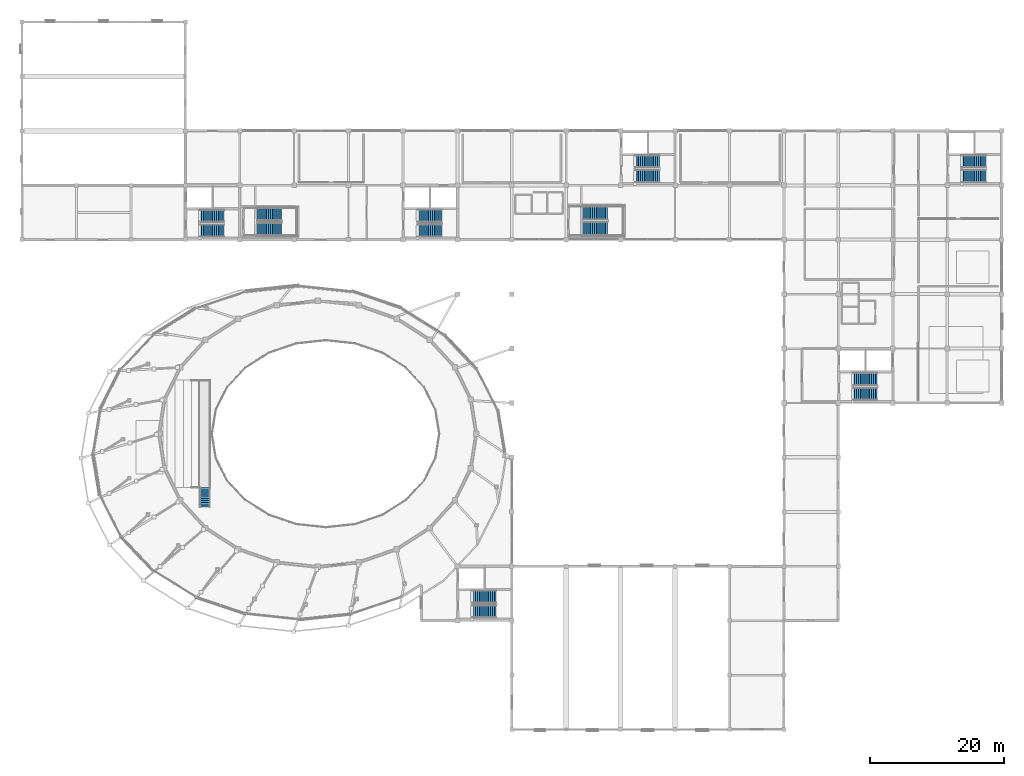
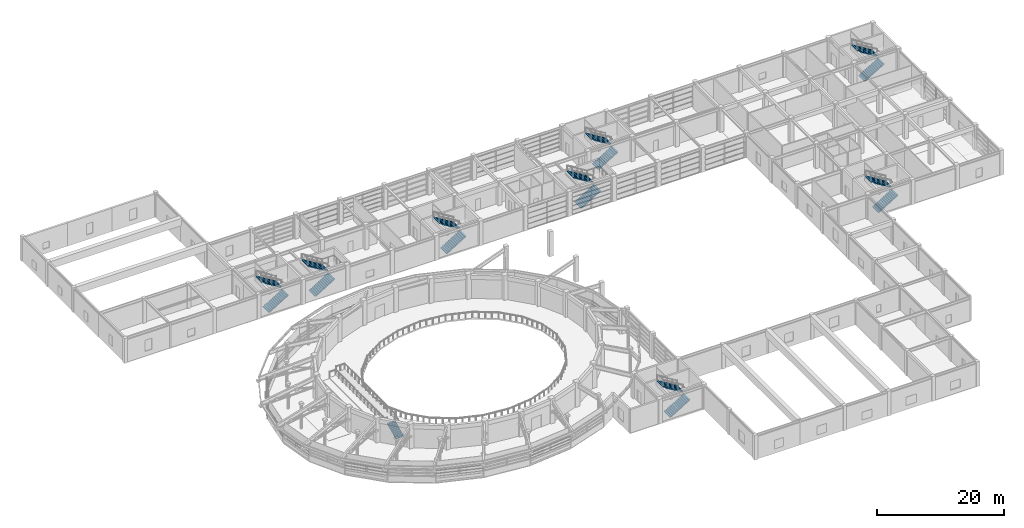
# One storey, part 48 of 58: 17 stair flights, 9 elements without a shape of their own.
"""IFC4 building model written with IfcOpenShell, lengths in metres."""

from ifc_helpers import new_model, si_unit, direction, frame, origin, place, context, subcontext, project, spatial, polyline, outline, extrude, material, type_object, element, aggregate, save


model = new_model("IFC4")

# Units and contexts
model_context = context("Model", 3, precision=1e-05, world=origin(), true_north=direction((0.0, 1.0)))
body_context = subcontext(model_context, "Body", "Model", "MODEL_VIEW")
ifc_project = project(units=[si_unit("LENGTHUNIT", "METRE"), si_unit("AREAUNIT", "SQUARE_METRE"), si_unit("VOLUMEUNIT", "CUBIC_METRE"), si_unit("PLANEANGLEUNIT", "RADIAN"), si_unit("MASSUNIT", "GRAM", prefix="KILO")], contexts=[model_context])

# Site, building, storey
site_placement = place(None, origin())
site = spatial("IfcSite", under=ifc_project, at=site_placement, CompositionType="ELEMENT")
building_placement = place(site_placement, origin())
building = spatial("IfcBuilding", under=site, at=building_placement, Name="Parian Resonance Hall", CompositionType="ELEMENT")
storey_placement = place(building_placement, frame((0.0, 0.0, 10.199951171875)))
storey = spatial("IfcBuildingStorey", under=building, at=storey_placement, Name="L02", CompositionType="ELEMENT", Elevation=10.199951171875)

# Stair, stair flight
ifc_material_1 = material(Name="Concrete C40/50", Category="concrete")
stair_type_1 = type_object("IfcStairType", Name="STAIR-TIER-1480", PredefinedType="STRAIGHT_RUN_STAIR", material=ifc_material_1)
stair_1_placement = place(storey_placement, origin())
stair_1 = element("IfcStair", 1, at=stair_1_placement, inside=storey, type_object=stair_type_1, Name="Auditorium stepped aisle stair ST-T05", PredefinedType="STRAIGHT_RUN_STAIR")
ifc_material_2 = material(Name="Concrete C40/50", Category="concrete")
stair_flight_type_1 = type_object("IfcStairFlightType", Name="FLIGHT-1480", PredefinedType="STRAIGHT", material=ifc_material_2)
stair_flight_1_placement = place(storey_placement, frame((27.219970703125, 33.1201171875, 0.0), z_axis=(0.0, 0.0, 1.0), x_axis=(0.0, 1.0, 0.0)))
stair_flight_1 = element("IfcStairFlight", 2, at=stair_flight_1_placement, type_object=stair_flight_type_1, Name="STT-148 flight 1", NumberOfRisers=10, NumberOfTreads=9, PredefinedType="STRAIGHT", RiserHeight=0.15, TreadLength=0.32, context=body_context, shape_type="SweptSolid", body=[
    extrude(outline(polyline([(0.0, 0.0), (0.0, 0.14990234375), (0.320068359375, 0.14990234375), (0.320068359375, 0.300048828125), (0.639892578125, 0.300048828125), (0.639892578125, 0.449951171875), (0.9599609375, 0.449951171875), (0.9599609375, 0.60009765625), (1.280029296875, 0.60009765625), (1.280029296875, 0.75), (1.60009765625, 0.75), (1.60009765625, 0.89990234375), (1.919921875, 0.89990234375), (1.919921875, 1.050048828125), (2.239990234375, 1.050048828125), (2.239990234375, 1.199951171875), (2.56005859375, 1.199951171875), (2.56005859375, 1.35009765625), (2.8798828125, 1.35009765625), (2.8798828125, 1.5), (2.8798828125, 1.184326171875), (0.353271484375, 0.0), (0.0, 0.0)])), frame((0.0, 0.739990234375, 0.0), z_axis=(0.0, -1.0, 0.0), x_axis=(1.0, 0.0, 0.0)), (0.0, 0.0, 1.0), 1.47998046875),
])
aggregate(stair_1, [stair_flight_1])

# Stair, stair flights
ifc_material_3 = material(Name="Concrete C40/50", Category="concrete")
stair_type_2 = type_object("IfcStairType", Name="STAIR-FOYER-1550", PredefinedType="HALF_TURN_STAIR", material=ifc_material_3)
stair_2_placement = place(storey_placement, origin())
stair_2 = element("IfcStair", 3, at=stair_2_placement, inside=storey, type_object=stair_type_2, Name="L02 ST-07", PredefinedType="HALF_TURN_STAIR")
ifc_material_4 = material(Name="Concrete C40/50", Category="concrete")
stair_flight_type_2 = type_object("IfcStairFlightType", Name="FLIGHT-1550", PredefinedType="STRAIGHT", material=ifc_material_4)
stair_flight_2_placement = place(storey_placement, frame((35.010009765625, 74.47998046875, 0.0), z_axis=(0.0, 0.0, 1.0), x_axis=(1.0, 0.0, 0.0)))
stair_flight_2 = element("IfcStairFlight", 4, at=stair_flight_2_placement, type_object=stair_flight_type_2, Name="ST-07 flight 1", NumberOfRisers=14, NumberOfTreads=13, PredefinedType="STRAIGHT", RiserHeight=0.171428571, TreadLength=0.28, context=body_context, shape_type="SweptSolid", body=[
    extrude(outline(polyline([(0.0, 0.0), (0.0, 0.17138671875), (0.280029296875, 0.17138671875), (0.280029296875, 0.3427734375), (0.56005859375, 0.3427734375), (0.56005859375, 0.514404296875), (0.840087890625, 0.514404296875), (0.840087890625, 0.685791015625), (1.1201171875, 0.685791015625), (1.1201171875, 0.857177734375), (1.39990234375, 0.857177734375), (1.39990234375, 1.028564453125), (1.679931640625, 1.028564453125), (1.679931640625, 1.199951171875), (1.9599609375, 1.199951171875), (1.9599609375, 1.371337890625), (2.239990234375, 1.371337890625), (2.239990234375, 1.54296875), (2.52001953125, 1.54296875), (2.52001953125, 1.71435546875), (2.800048828125, 1.71435546875), (2.800048828125, 1.8857421875), (3.080078125, 1.8857421875), (3.080078125, 2.05712890625), (3.360107421875, 2.05712890625), (3.360107421875, 2.228515625), (3.639892578125, 2.228515625), (3.639892578125, 2.39990234375), (3.639892578125, 2.052734375), (0.287109375, 0.0), (0.0, 0.0)])), frame((0.0, 0.97998046875, 0.0), z_axis=(0.0, -1.0, 0.0), x_axis=(1.0, 0.0, 0.0)), (0.0, 0.0, 1.0), 1.9599609375),
])
stair_flight_3_placement = place(storey_placement, frame((38.64990234375, 76.699951171875, 2.400146484375), z_axis=(0.0, 0.0, 1.0), x_axis=(-1.0, 0.0, 0.0)))
stair_flight_3 = element("IfcStairFlight", 5, at=stair_flight_3_placement, type_object=stair_flight_type_2, Name="ST-07 flight 2", NumberOfRisers=14, NumberOfTreads=13, PredefinedType="STRAIGHT", RiserHeight=0.171428571, TreadLength=0.28, context=body_context, shape_type="SweptSolid", body=[
    extrude(outline(polyline([(0.0, 0.0), (0.0, 0.17138671875), (0.280029296875, 0.17138671875), (0.280029296875, 0.3427734375), (0.56005859375, 0.3427734375), (0.56005859375, 0.514404296875), (0.840087890625, 0.514404296875), (0.840087890625, 0.685791015625), (1.1201171875, 0.685791015625), (1.1201171875, 0.857177734375), (1.39990234375, 0.857177734375), (1.39990234375, 1.028564453125), (1.679931640625, 1.028564453125), (1.679931640625, 1.199951171875), (1.9599609375, 1.199951171875), (1.9599609375, 1.371337890625), (2.239990234375, 1.371337890625), (2.239990234375, 1.54296875), (2.52001953125, 1.54296875), (2.52001953125, 1.71435546875), (2.800048828125, 1.71435546875), (2.800048828125, 1.8857421875), (3.080078125, 1.8857421875), (3.080078125, 2.05712890625), (3.360107421875, 2.05712890625), (3.360107421875, 2.228515625), (3.639892578125, 2.228515625), (3.639892578125, 2.39990234375), (3.639892578125, 2.052734375), (0.287109375, 0.0), (0.0, 0.0)])), frame((0.0, 0.97998046875, 0.0), z_axis=(0.0, -1.0, 0.0), x_axis=(1.0, 0.0, 0.0)), (0.0, 0.0, 1.0), 1.9599609375),
])
aggregate(stair_2, [stair_flight_2, stair_flight_3])

ifc_material_5 = material(Name="Concrete C40/50", Category="concrete")
stair_type_3 = type_object("IfcStairType", Name="STAIR-FOYER-1650", PredefinedType="HALF_TURN_STAIR", material=ifc_material_5)
stair_3_placement = place(storey_placement, origin())
stair_3 = element("IfcStair", 6, at=stair_3_placement, inside=storey, type_object=stair_type_3, Name="L02 ST-08", PredefinedType="HALF_TURN_STAIR")
ifc_material_6 = material(Name="Concrete C40/50", Category="concrete")
stair_flight_type_3 = type_object("IfcStairFlightType", Name="FLIGHT-1650", PredefinedType="STRAIGHT", material=ifc_material_6)
stair_flight_4_placement = place(storey_placement, frame((83.510009765625, 74.530029296875, 0.0), z_axis=(0.0, 0.0, 1.0), x_axis=(1.0, 0.0, 0.0)))
stair_flight_4 = element("IfcStairFlight", 7, at=stair_flight_4_placement, type_object=stair_flight_type_3, Name="ST-08 flight 1", NumberOfRisers=14, NumberOfTreads=13, PredefinedType="STRAIGHT", RiserHeight=0.171428571, TreadLength=0.28, context=body_context, shape_type="SweptSolid", body=[
    extrude(outline(polyline([(0.0, 0.0), (0.0, 0.17138671875), (0.280029296875, 0.17138671875), (0.280029296875, 0.3427734375), (0.56005859375, 0.3427734375), (0.56005859375, 0.514404296875), (0.840087890625, 0.514404296875), (0.840087890625, 0.685791015625), (1.1201171875, 0.685791015625), (1.1201171875, 0.857177734375), (1.39990234375, 0.857177734375), (1.39990234375, 1.028564453125), (1.679931640625, 1.028564453125), (1.679931640625, 1.199951171875), (1.9599609375, 1.199951171875), (1.9599609375, 1.371337890625), (2.239990234375, 1.371337890625), (2.239990234375, 1.54296875), (2.52001953125, 1.54296875), (2.52001953125, 1.71435546875), (2.800048828125, 1.71435546875), (2.800048828125, 1.8857421875), (3.080078125, 1.8857421875), (3.080078125, 2.05712890625), (3.360107421875, 2.05712890625), (3.360107421875, 2.228515625), (3.639892578125, 2.228515625), (3.639892578125, 2.39990234375), (3.639892578125, 2.052734375), (0.287109375, 0.0), (0.0, 0.0)])), frame((0.0, 1.030029296875, 0.0), z_axis=(0.0, -1.0, 0.0), x_axis=(1.0, 0.0, 0.0)), (0.0, 0.0, 1.0), 2.06005859375),
])
stair_flight_5_placement = place(storey_placement, frame((87.14990234375, 76.85009765625, 2.400146484375), z_axis=(0.0, 0.0, 1.0), x_axis=(-1.0, 0.0, 0.0)))
stair_flight_5 = element("IfcStairFlight", 8, at=stair_flight_5_placement, type_object=stair_flight_type_3, Name="ST-08 flight 2", NumberOfRisers=14, NumberOfTreads=13, PredefinedType="STRAIGHT", RiserHeight=0.171428571, TreadLength=0.28, context=body_context, shape_type="SweptSolid", body=[
    extrude(outline(polyline([(0.0, 0.0), (0.0, 0.17138671875), (0.280029296875, 0.17138671875), (0.280029296875, 0.3427734375), (0.56005859375, 0.3427734375), (0.56005859375, 0.514404296875), (0.840087890625, 0.514404296875), (0.840087890625, 0.685791015625), (1.1201171875, 0.685791015625), (1.1201171875, 0.857177734375), (1.39990234375, 0.857177734375), (1.39990234375, 1.028564453125), (1.679931640625, 1.028564453125), (1.679931640625, 1.199951171875), (1.9599609375, 1.199951171875), (1.9599609375, 1.371337890625), (2.239990234375, 1.371337890625), (2.239990234375, 1.54296875), (2.52001953125, 1.54296875), (2.52001953125, 1.71435546875), (2.800048828125, 1.71435546875), (2.800048828125, 1.8857421875), (3.080078125, 1.8857421875), (3.080078125, 2.05712890625), (3.360107421875, 2.05712890625), (3.360107421875, 2.228515625), (3.639892578125, 2.228515625), (3.639892578125, 2.39990234375), (3.639892578125, 2.052734375), (0.287109375, 0.0), (0.0, 0.0)])), frame((0.0, 1.030029296875, 0.0), z_axis=(0.0, -1.0, 0.0), x_axis=(1.0, 0.0, 0.0)), (0.0, 0.0, 1.0), 2.06005859375),
])
aggregate(stair_3, [stair_flight_4, stair_flight_5])

ifc_material_7 = material(Name="Concrete C40/50", Category="concrete")
stair_type_4 = type_object("IfcStairType", Name="STAIR-CORE-1800", PredefinedType="HALF_TURN_STAIR", material=ifc_material_7)
stair_4_placement = place(storey_placement, origin())
stair_4 = element("IfcStair", 9, at=stair_4_placement, inside=storey, type_object=stair_type_4, Name="L02 ST-04", PredefinedType="HALF_TURN_STAIR")
ifc_material_8 = material(Name="Concrete C40/50", Category="concrete")
stair_flight_type_4 = type_object("IfcStairFlightType", Name="FLIGHT-1800", PredefinedType="STRAIGHT", material=ifc_material_8)
stair_flight_6_placement = place(storey_placement, frame((26.419921875, 74.239990234375, 0.0), z_axis=(0.0, 0.0, 1.0), x_axis=(1.0, 0.0, 0.0)))
stair_flight_6 = element("IfcStairFlight", 10, at=stair_flight_6_placement, type_object=stair_flight_type_4, Name="ST-04 flight 1", NumberOfRisers=14, NumberOfTreads=13, PredefinedType="STRAIGHT", RiserHeight=0.171428571, TreadLength=0.28, context=body_context, shape_type="SweptSolid", body=[
    extrude(outline(polyline([(0.0, 0.0), (0.0, 0.17138671875), (0.280029296875, 0.17138671875), (0.280029296875, 0.3427734375), (0.56005859375, 0.3427734375), (0.56005859375, 0.514404296875), (0.840087890625, 0.514404296875), (0.840087890625, 0.685791015625), (1.1201171875, 0.685791015625), (1.1201171875, 0.857177734375), (1.39990234375, 0.857177734375), (1.39990234375, 1.028564453125), (1.679931640625, 1.028564453125), (1.679931640625, 1.199951171875), (1.9599609375, 1.199951171875), (1.9599609375, 1.371337890625), (2.239990234375, 1.371337890625), (2.239990234375, 1.54296875), (2.52001953125, 1.54296875), (2.52001953125, 1.71435546875), (2.800048828125, 1.71435546875), (2.800048828125, 1.8857421875), (3.080078125, 1.8857421875), (3.080078125, 2.05712890625), (3.360107421875, 2.05712890625), (3.360107421875, 2.228515625), (3.639892578125, 2.228515625), (3.639892578125, 2.39990234375), (3.639892578125, 2.052734375), (0.287109375, 0.0), (0.0, 0.0)])), frame((0.0, 0.93994140625, 0.0), z_axis=(0.0, -1.0, 0.0), x_axis=(1.0, 0.0, 0.0)), (0.0, 0.0, 1.0), 1.8798828125),
])
stair_flight_7_placement = place(storey_placement, frame((30.06005859375, 76.419921875, 2.400146484375), z_axis=(0.0, 0.0, 1.0), x_axis=(-1.0, 0.0, 0.0)))
stair_flight_7 = element("IfcStairFlight", 11, at=stair_flight_7_placement, type_object=stair_flight_type_4, Name="ST-04 flight 2", NumberOfRisers=14, NumberOfTreads=13, PredefinedType="STRAIGHT", RiserHeight=0.171428571, TreadLength=0.28, context=body_context, shape_type="SweptSolid", body=[
    extrude(outline(polyline([(0.0, 0.0), (0.0, 0.17138671875), (0.280029296875, 0.17138671875), (0.280029296875, 0.3427734375), (0.56005859375, 0.3427734375), (0.56005859375, 0.514404296875), (0.840087890625, 0.514404296875), (0.840087890625, 0.685791015625), (1.1201171875, 0.685791015625), (1.1201171875, 0.857177734375), (1.39990234375, 0.857177734375), (1.39990234375, 1.028564453125), (1.679931640625, 1.028564453125), (1.679931640625, 1.199951171875), (1.9599609375, 1.199951171875), (1.9599609375, 1.371337890625), (2.239990234375, 1.371337890625), (2.239990234375, 1.54296875), (2.52001953125, 1.54296875), (2.52001953125, 1.71435546875), (2.800048828125, 1.71435546875), (2.800048828125, 1.8857421875), (3.080078125, 1.8857421875), (3.080078125, 2.05712890625), (3.360107421875, 2.05712890625), (3.360107421875, 2.228515625), (3.639892578125, 2.228515625), (3.639892578125, 2.39990234375), (3.639892578125, 2.052734375), (0.287109375, 0.0), (0.0, 0.0)])), frame((0.0, 0.93994140625, 0.0), z_axis=(0.0, -1.0, 0.0), x_axis=(1.0, 0.0, 0.0)), (0.0, 0.0, 1.0), 1.8798828125),
])
aggregate(stair_4, [stair_flight_6, stair_flight_7])

stair_5_placement = place(storey_placement, origin())
stair_5 = element("IfcStair", 12, at=stair_5_placement, inside=storey, type_object=stair_type_4, Name="L02 ST-05", PredefinedType="HALF_TURN_STAIR")
stair_flight_8_placement = place(storey_placement, frame((91.219970703125, 82.340087890625, 0.0), z_axis=(0.0, 0.0, 1.0), x_axis=(1.0, 0.0, 0.0)))
stair_flight_8 = element("IfcStairFlight", 13, at=stair_flight_8_placement, type_object=stair_flight_type_4, Name="ST-05 flight 1", NumberOfRisers=14, NumberOfTreads=13, PredefinedType="STRAIGHT", RiserHeight=0.171428571, TreadLength=0.28, context=body_context, shape_type="SweptSolid", body=[
    extrude(outline(polyline([(0.0, 0.0), (0.0, 0.17138671875), (0.280029296875, 0.17138671875), (0.280029296875, 0.3427734375), (0.56005859375, 0.3427734375), (0.56005859375, 0.514404296875), (0.840087890625, 0.514404296875), (0.840087890625, 0.685791015625), (1.1201171875, 0.685791015625), (1.1201171875, 0.857177734375), (1.39990234375, 0.857177734375), (1.39990234375, 1.028564453125), (1.679931640625, 1.028564453125), (1.679931640625, 1.199951171875), (1.9599609375, 1.199951171875), (1.9599609375, 1.371337890625), (2.239990234375, 1.371337890625), (2.239990234375, 1.54296875), (2.52001953125, 1.54296875), (2.52001953125, 1.71435546875), (2.800048828125, 1.71435546875), (2.800048828125, 1.8857421875), (3.080078125, 1.8857421875), (3.080078125, 2.05712890625), (3.360107421875, 2.05712890625), (3.360107421875, 2.228515625), (3.639892578125, 2.228515625), (3.639892578125, 2.39990234375), (3.639892578125, 2.052734375), (0.287109375, 0.0), (0.0, 0.0)])), frame((0.0, 0.93994140625, 0.0), z_axis=(0.0, -1.0, 0.0), x_axis=(1.0, 0.0, 0.0)), (0.0, 0.0, 1.0), 1.8798828125),
])
stair_flight_9_placement = place(storey_placement, frame((94.860107421875, 84.52001953125, 2.400146484375), z_axis=(0.0, 0.0, 1.0), x_axis=(-1.0, 0.0, 0.0)))
stair_flight_9 = element("IfcStairFlight", 14, at=stair_flight_9_placement, type_object=stair_flight_type_4, Name="ST-05 flight 2", NumberOfRisers=14, NumberOfTreads=13, PredefinedType="STRAIGHT", RiserHeight=0.171428571, TreadLength=0.28, context=body_context, shape_type="SweptSolid", body=[
    extrude(outline(polyline([(0.0, 0.0), (0.0, 0.17138671875), (0.280029296875, 0.17138671875), (0.280029296875, 0.3427734375), (0.56005859375, 0.3427734375), (0.56005859375, 0.514404296875), (0.840087890625, 0.514404296875), (0.840087890625, 0.685791015625), (1.1201171875, 0.685791015625), (1.1201171875, 0.857177734375), (1.39990234375, 0.857177734375), (1.39990234375, 1.028564453125), (1.679931640625, 1.028564453125), (1.679931640625, 1.199951171875), (1.9599609375, 1.199951171875), (1.9599609375, 1.371337890625), (2.239990234375, 1.371337890625), (2.239990234375, 1.54296875), (2.52001953125, 1.54296875), (2.52001953125, 1.71435546875), (2.800048828125, 1.71435546875), (2.800048828125, 1.8857421875), (3.080078125, 1.8857421875), (3.080078125, 2.05712890625), (3.360107421875, 2.05712890625), (3.360107421875, 2.228515625), (3.639892578125, 2.228515625), (3.639892578125, 2.39990234375), (3.639892578125, 2.052734375), (0.287109375, 0.0), (0.0, 0.0)])), frame((0.0, 0.93994140625, 0.0), z_axis=(0.0, -1.0, 0.0), x_axis=(1.0, 0.0, 0.0)), (0.0, 0.0, 1.0), 1.8798828125),
])
aggregate(stair_5, [stair_flight_8, stair_flight_9])

stair_6_placement = place(storey_placement, origin())
stair_6 = element("IfcStair", 15, at=stair_6_placement, inside=storey, type_object=stair_type_4, Name="L02 ST-06", PredefinedType="HALF_TURN_STAIR")
stair_flight_10_placement = place(storey_placement, frame((139.820068359375, 82.340087890625, 0.0), z_axis=(0.0, 0.0, 1.0), x_axis=(1.0, 0.0, 0.0)))
stair_flight_10 = element("IfcStairFlight", 16, at=stair_flight_10_placement, type_object=stair_flight_type_4, Name="ST-06 flight 1", NumberOfRisers=14, NumberOfTreads=13, PredefinedType="STRAIGHT", RiserHeight=0.171428571, TreadLength=0.28, context=body_context, shape_type="SweptSolid", body=[
    extrude(outline(polyline([(0.0, 0.0), (0.0, 0.17138671875), (0.280029296875, 0.17138671875), (0.280029296875, 0.3427734375), (0.56005859375, 0.3427734375), (0.56005859375, 0.514404296875), (0.840087890625, 0.514404296875), (0.840087890625, 0.685791015625), (1.1201171875, 0.685791015625), (1.1201171875, 0.857177734375), (1.39990234375, 0.857177734375), (1.39990234375, 1.028564453125), (1.679931640625, 1.028564453125), (1.679931640625, 1.199951171875), (1.9599609375, 1.199951171875), (1.9599609375, 1.371337890625), (2.239990234375, 1.371337890625), (2.239990234375, 1.54296875), (2.52001953125, 1.54296875), (2.52001953125, 1.71435546875), (2.800048828125, 1.71435546875), (2.800048828125, 1.8857421875), (3.080078125, 1.8857421875), (3.080078125, 2.05712890625), (3.360107421875, 2.05712890625), (3.360107421875, 2.228515625), (3.639892578125, 2.228515625), (3.639892578125, 2.39990234375), (3.639892578125, 2.052734375), (0.287109375, 0.0), (0.0, 0.0)])), frame((0.0, 0.93994140625, 0.0), z_axis=(0.0, -1.0, 0.0), x_axis=(1.0, 0.0, 0.0)), (0.0, 0.0, 1.0), 1.8798828125),
])
stair_flight_11_placement = place(storey_placement, frame((143.4599609375, 84.52001953125, 2.400146484375), z_axis=(0.0, 0.0, 1.0), x_axis=(-1.0, 0.0, 0.0)))
stair_flight_11 = element("IfcStairFlight", 17, at=stair_flight_11_placement, type_object=stair_flight_type_4, Name="ST-06 flight 2", NumberOfRisers=14, NumberOfTreads=13, PredefinedType="STRAIGHT", RiserHeight=0.171428571, TreadLength=0.28, context=body_context, shape_type="SweptSolid", body=[
    extrude(outline(polyline([(0.0, 0.0), (0.0, 0.17138671875), (0.280029296875, 0.17138671875), (0.280029296875, 0.3427734375), (0.56005859375, 0.3427734375), (0.56005859375, 0.514404296875), (0.840087890625, 0.514404296875), (0.840087890625, 0.685791015625), (1.1201171875, 0.685791015625), (1.1201171875, 0.857177734375), (1.39990234375, 0.857177734375), (1.39990234375, 1.028564453125), (1.679931640625, 1.028564453125), (1.679931640625, 1.199951171875), (1.9599609375, 1.199951171875), (1.9599609375, 1.371337890625), (2.239990234375, 1.371337890625), (2.239990234375, 1.54296875), (2.52001953125, 1.54296875), (2.52001953125, 1.71435546875), (2.800048828125, 1.71435546875), (2.800048828125, 1.8857421875), (3.080078125, 1.8857421875), (3.080078125, 2.05712890625), (3.360107421875, 2.05712890625), (3.360107421875, 2.228515625), (3.639892578125, 2.228515625), (3.639892578125, 2.39990234375), (3.639892578125, 2.052734375), (0.287109375, 0.0), (0.0, 0.0)])), frame((0.0, 0.93994140625, 0.0), z_axis=(0.0, -1.0, 0.0), x_axis=(1.0, 0.0, 0.0)), (0.0, 0.0, 1.0), 1.8798828125),
])
aggregate(stair_6, [stair_flight_10, stair_flight_11])

ifc_material_9 = material(Name="Concrete C40/50", Category="concrete")
stair_type_5 = type_object("IfcStairType", Name="STAIR-CORE-1850", PredefinedType="HALF_TURN_STAIR", material=ifc_material_9)
stair_7_placement = place(storey_placement, origin())
stair_7 = element("IfcStair", 18, at=stair_7_placement, inside=storey, type_object=stair_type_5, Name="L02 ST-01", PredefinedType="HALF_TURN_STAIR")
ifc_material_10 = material(Name="Concrete C40/50", Category="concrete")
stair_flight_type_5 = type_object("IfcStairFlightType", Name="FLIGHT-1850", PredefinedType="STRAIGHT", material=ifc_material_10)
stair_flight_12_placement = place(storey_placement, frame((58.840087890625, 74.25, 0.0), z_axis=(0.0, 0.0, 1.0), x_axis=(1.0, 0.0, 0.0)))
stair_flight_12 = element("IfcStairFlight", 19, at=stair_flight_12_placement, type_object=stair_flight_type_5, Name="ST-01 flight 1", NumberOfRisers=14, NumberOfTreads=13, PredefinedType="STRAIGHT", RiserHeight=0.171428571, TreadLength=0.28, context=body_context, shape_type="SweptSolid", body=[
    extrude(outline(polyline([(0.0, 0.0), (0.0, 0.17138671875), (0.280029296875, 0.17138671875), (0.280029296875, 0.3427734375), (0.56005859375, 0.3427734375), (0.56005859375, 0.514404296875), (0.840087890625, 0.514404296875), (0.840087890625, 0.685791015625), (1.1201171875, 0.685791015625), (1.1201171875, 0.857177734375), (1.39990234375, 0.857177734375), (1.39990234375, 1.028564453125), (1.679931640625, 1.028564453125), (1.679931640625, 1.199951171875), (1.9599609375, 1.199951171875), (1.9599609375, 1.371337890625), (2.239990234375, 1.371337890625), (2.239990234375, 1.54296875), (2.52001953125, 1.54296875), (2.52001953125, 1.71435546875), (2.800048828125, 1.71435546875), (2.800048828125, 1.8857421875), (3.080078125, 1.8857421875), (3.080078125, 2.05712890625), (3.360107421875, 2.05712890625), (3.360107421875, 2.228515625), (3.639892578125, 2.228515625), (3.639892578125, 2.39990234375), (3.639892578125, 2.052734375), (0.287109375, 0.0), (0.0, 0.0)])), frame((0.0, 0.949951171875, 0.0), z_axis=(0.0, -1.0, 0.0), x_axis=(1.0, 0.0, 0.0)), (0.0, 0.0, 1.0), 1.89990234375),
])
stair_flight_13_placement = place(storey_placement, frame((62.47998046875, 76.449951171875, 2.400146484375), z_axis=(0.0, 0.0, 1.0), x_axis=(-1.0, 0.0, 0.0)))
stair_flight_13 = element("IfcStairFlight", 20, at=stair_flight_13_placement, type_object=stair_flight_type_5, Name="ST-01 flight 2", NumberOfRisers=14, NumberOfTreads=13, PredefinedType="STRAIGHT", RiserHeight=0.171428571, TreadLength=0.28, context=body_context, shape_type="SweptSolid", body=[
    extrude(outline(polyline([(0.0, 0.0), (0.0, 0.17138671875), (0.280029296875, 0.17138671875), (0.280029296875, 0.3427734375), (0.56005859375, 0.3427734375), (0.56005859375, 0.514404296875), (0.840087890625, 0.514404296875), (0.840087890625, 0.685791015625), (1.1201171875, 0.685791015625), (1.1201171875, 0.857177734375), (1.39990234375, 0.857177734375), (1.39990234375, 1.028564453125), (1.679931640625, 1.028564453125), (1.679931640625, 1.199951171875), (1.9599609375, 1.199951171875), (1.9599609375, 1.371337890625), (2.239990234375, 1.371337890625), (2.239990234375, 1.54296875), (2.52001953125, 1.54296875), (2.52001953125, 1.71435546875), (2.800048828125, 1.71435546875), (2.800048828125, 1.8857421875), (3.080078125, 1.8857421875), (3.080078125, 2.05712890625), (3.360107421875, 2.05712890625), (3.360107421875, 2.228515625), (3.639892578125, 2.228515625), (3.639892578125, 2.39990234375), (3.639892578125, 2.052734375), (0.287109375, 0.0), (0.0, 0.0)])), frame((0.0, 0.949951171875, 0.0), z_axis=(0.0, -1.0, 0.0), x_axis=(1.0, 0.0, 0.0)), (0.0, 0.0, 1.0), 1.89990234375),
])
aggregate(stair_7, [stair_flight_12, stair_flight_13])

stair_8_placement = place(storey_placement, origin())
stair_8 = element("IfcStair", 21, at=stair_8_placement, inside=storey, type_object=stair_type_5, Name="L02 ST-02", PredefinedType="HALF_TURN_STAIR")
stair_flight_14_placement = place(storey_placement, frame((123.639892578125, 49.949951171875, 0.0), z_axis=(0.0, 0.0, 1.0), x_axis=(1.0, 0.0, 0.0)))
stair_flight_14 = element("IfcStairFlight", 22, at=stair_flight_14_placement, type_object=stair_flight_type_5, Name="ST-02 flight 1", NumberOfRisers=14, NumberOfTreads=13, PredefinedType="STRAIGHT", RiserHeight=0.171428571, TreadLength=0.28, context=body_context, shape_type="SweptSolid", body=[
    extrude(outline(polyline([(0.0, 0.0), (0.0, 0.17138671875), (0.280029296875, 0.17138671875), (0.280029296875, 0.3427734375), (0.56005859375, 0.3427734375), (0.56005859375, 0.514404296875), (0.840087890625, 0.514404296875), (0.840087890625, 0.685791015625), (1.1201171875, 0.685791015625), (1.1201171875, 0.857177734375), (1.39990234375, 0.857177734375), (1.39990234375, 1.028564453125), (1.679931640625, 1.028564453125), (1.679931640625, 1.199951171875), (1.9599609375, 1.199951171875), (1.9599609375, 1.371337890625), (2.239990234375, 1.371337890625), (2.239990234375, 1.54296875), (2.52001953125, 1.54296875), (2.52001953125, 1.71435546875), (2.800048828125, 1.71435546875), (2.800048828125, 1.8857421875), (3.080078125, 1.8857421875), (3.080078125, 2.05712890625), (3.360107421875, 2.05712890625), (3.360107421875, 2.228515625), (3.639892578125, 2.228515625), (3.639892578125, 2.39990234375), (3.639892578125, 2.052734375), (0.287109375, 0.0), (0.0, 0.0)])), frame((0.0, 0.949951171875, 0.0), z_axis=(0.0, -1.0, 0.0), x_axis=(1.0, 0.0, 0.0)), (0.0, 0.0, 1.0), 1.89990234375),
])
stair_flight_15_placement = place(storey_placement, frame((127.280029296875, 52.14990234375, 2.400146484375), z_axis=(0.0, 0.0, 1.0), x_axis=(-1.0, 0.0, 0.0)))
stair_flight_15 = element("IfcStairFlight", 23, at=stair_flight_15_placement, type_object=stair_flight_type_5, Name="ST-02 flight 2", NumberOfRisers=14, NumberOfTreads=13, PredefinedType="STRAIGHT", RiserHeight=0.171428571, TreadLength=0.28, context=body_context, shape_type="SweptSolid", body=[
    extrude(outline(polyline([(0.0, 0.0), (0.0, 0.17138671875), (0.280029296875, 0.17138671875), (0.280029296875, 0.3427734375), (0.56005859375, 0.3427734375), (0.56005859375, 0.514404296875), (0.840087890625, 0.514404296875), (0.840087890625, 0.685791015625), (1.1201171875, 0.685791015625), (1.1201171875, 0.857177734375), (1.39990234375, 0.857177734375), (1.39990234375, 1.028564453125), (1.679931640625, 1.028564453125), (1.679931640625, 1.199951171875), (1.9599609375, 1.199951171875), (1.9599609375, 1.371337890625), (2.239990234375, 1.371337890625), (2.239990234375, 1.54296875), (2.52001953125, 1.54296875), (2.52001953125, 1.71435546875), (2.800048828125, 1.71435546875), (2.800048828125, 1.8857421875), (3.080078125, 1.8857421875), (3.080078125, 2.05712890625), (3.360107421875, 2.05712890625), (3.360107421875, 2.228515625), (3.639892578125, 2.228515625), (3.639892578125, 2.39990234375), (3.639892578125, 2.052734375), (0.287109375, 0.0), (0.0, 0.0)])), frame((0.0, 0.949951171875, 0.0), z_axis=(0.0, -1.0, 0.0), x_axis=(1.0, 0.0, 0.0)), (0.0, 0.0, 1.0), 1.89990234375),
])
aggregate(stair_8, [stair_flight_14, stair_flight_15])

stair_9_placement = place(storey_placement, origin())
stair_9 = element("IfcStair", 24, at=stair_9_placement, inside=storey, type_object=stair_type_5, Name="L02 ST-03", PredefinedType="HALF_TURN_STAIR")
stair_flight_16_placement = place(storey_placement, frame((66.93994140625, 17.550048828125, 0.0), z_axis=(0.0, 0.0, 1.0), x_axis=(1.0, 0.0, 0.0)))
stair_flight_16 = element("IfcStairFlight", 25, at=stair_flight_16_placement, type_object=stair_flight_type_5, Name="ST-03 flight 1", NumberOfRisers=14, NumberOfTreads=13, PredefinedType="STRAIGHT", RiserHeight=0.171428571, TreadLength=0.28, context=body_context, shape_type="SweptSolid", body=[
    extrude(outline(polyline([(0.0, 0.0), (0.0, 0.17138671875), (0.280029296875, 0.17138671875), (0.280029296875, 0.3427734375), (0.56005859375, 0.3427734375), (0.56005859375, 0.514404296875), (0.840087890625, 0.514404296875), (0.840087890625, 0.685791015625), (1.1201171875, 0.685791015625), (1.1201171875, 0.857177734375), (1.39990234375, 0.857177734375), (1.39990234375, 1.028564453125), (1.679931640625, 1.028564453125), (1.679931640625, 1.199951171875), (1.9599609375, 1.199951171875), (1.9599609375, 1.371337890625), (2.239990234375, 1.371337890625), (2.239990234375, 1.54296875), (2.52001953125, 1.54296875), (2.52001953125, 1.71435546875), (2.800048828125, 1.71435546875), (2.800048828125, 1.8857421875), (3.080078125, 1.8857421875), (3.080078125, 2.05712890625), (3.360107421875, 2.05712890625), (3.360107421875, 2.228515625), (3.639892578125, 2.228515625), (3.639892578125, 2.39990234375), (3.639892578125, 2.052734375), (0.287109375, 0.0), (0.0, 0.0)])), frame((0.0, 0.949951171875, 0.0), z_axis=(0.0, -1.0, 0.0), x_axis=(1.0, 0.0, 0.0)), (0.0, 0.0, 1.0), 1.89990234375),
])
stair_flight_17_placement = place(storey_placement, frame((70.580078125, 19.75, 2.400146484375), z_axis=(0.0, 0.0, 1.0), x_axis=(-1.0, 0.0, 0.0)))
stair_flight_17 = element("IfcStairFlight", 26, at=stair_flight_17_placement, type_object=stair_flight_type_5, Name="ST-03 flight 2", NumberOfRisers=14, NumberOfTreads=13, PredefinedType="STRAIGHT", RiserHeight=0.171428571, TreadLength=0.28, context=body_context, shape_type="SweptSolid", body=[
    extrude(outline(polyline([(0.0, 0.0), (0.0, 0.17138671875), (0.280029296875, 0.17138671875), (0.280029296875, 0.3427734375), (0.56005859375, 0.3427734375), (0.56005859375, 0.514404296875), (0.840087890625, 0.514404296875), (0.840087890625, 0.685791015625), (1.1201171875, 0.685791015625), (1.1201171875, 0.857177734375), (1.39990234375, 0.857177734375), (1.39990234375, 1.028564453125), (1.679931640625, 1.028564453125), (1.679931640625, 1.199951171875), (1.9599609375, 1.199951171875), (1.9599609375, 1.371337890625), (2.239990234375, 1.371337890625), (2.239990234375, 1.54296875), (2.52001953125, 1.54296875), (2.52001953125, 1.71435546875), (2.800048828125, 1.71435546875), (2.800048828125, 1.8857421875), (3.080078125, 1.8857421875), (3.080078125, 2.05712890625), (3.360107421875, 2.05712890625), (3.360107421875, 2.228515625), (3.639892578125, 2.228515625), (3.639892578125, 2.39990234375), (3.639892578125, 2.052734375), (0.287109375, 0.0), (0.0, 0.0)])), frame((0.0, 0.949951171875, 0.0), z_axis=(0.0, -1.0, 0.0), x_axis=(1.0, 0.0, 0.0)), (0.0, 0.0, 1.0), 1.89990234375),
])
aggregate(stair_9, [stair_flight_16, stair_flight_17])

save(model, "model.ifc")
